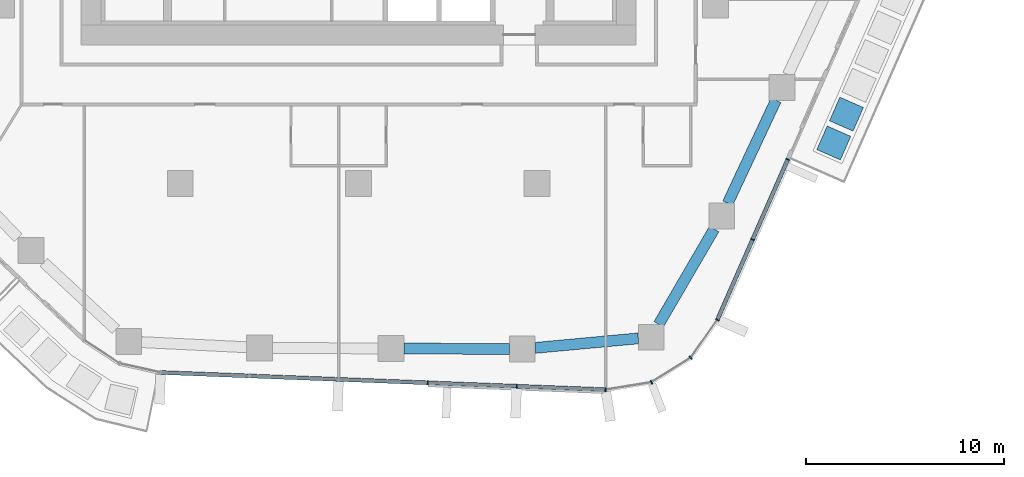
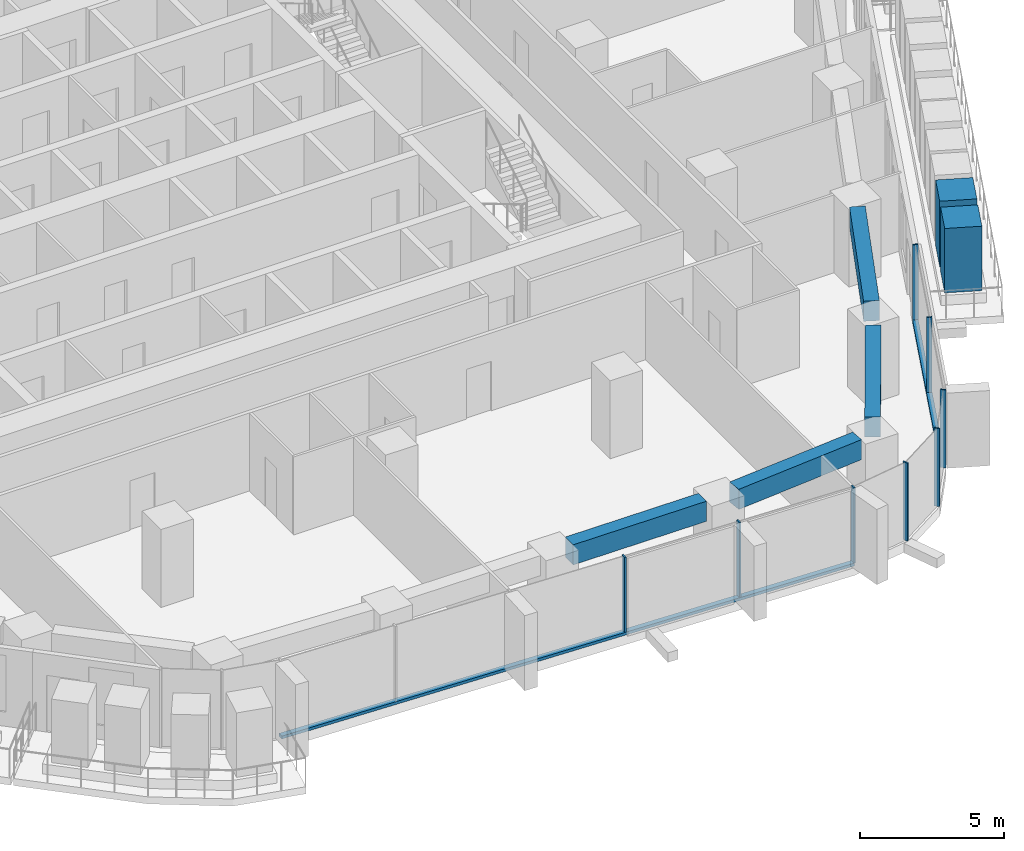
# One storey, part 4 of 23: 12 members, 4 beams, 3 elements without a shape of their own.
"""IFC4 building model written with IfcOpenShell, lengths in metres."""

from ifc_helpers import new_model, si_unit, direction, frame, origin, origin_2d, place, context, subcontext, project, spatial, rectangle, extrude, material, layer, layer_set, material_profile, profile_set, type_object, element, aggregate, save


model = new_model("IFC4")

# Units and contexts
model_context = context("Model", 3, precision=1e-05, world=origin(), true_north=direction((0.0, 1.0)))
body_context = subcontext(model_context, "Body", "Model", "MODEL_VIEW")
ifc_project = project(units=[si_unit("LENGTHUNIT", "METRE"), si_unit("AREAUNIT", "SQUARE_METRE"), si_unit("VOLUMEUNIT", "CUBIC_METRE"), si_unit("PLANEANGLEUNIT", "RADIAN"), si_unit("MASSUNIT", "GRAM", prefix="KILO")], contexts=[model_context])

# Site, building, storey
site_placement = place(None, origin())
site = spatial("IfcSite", under=ifc_project, at=site_placement, CompositionType="ELEMENT")
building_placement = place(site_placement, origin())
building = spatial("IfcBuilding", under=site, at=building_placement, Name="Dongbaek Canopy Tower", CompositionType="ELEMENT")
storey_placement = place(building_placement, frame((0.0, 0.0, 132.199951171875)))
storey = spatial("IfcBuildingStorey", under=building, at=storey_placement, Name="L29", CompositionType="ELEMENT", Elevation=132.199951171875)

# Curtain wall, members
ifc_material_1 = material(Name="Aluminium 6063-T6 pale anodised", Category="aluminium")
ifc_layer = layer(ifc_material_1, 0.199951171875)
ifc_layer_set = layer_set([ifc_layer], Name="CW-1 unitised tower curtain wall")
curtain_wall_type = type_object("IfcCurtainWallType", Name="CW-1 unitised tower curtain wall", PredefinedType="NOTDEFINED", material=ifc_layer_set)
curtain_wall_1_placement = place(storey_placement, origin())
curtain_wall_1 = element("IfcCurtainWall", 1, at=curtain_wall_1_placement, inside=storey, type_object=curtain_wall_type, Name="CW-1 curtain wall F4.1", PredefinedType="NOTDEFINED")
ifc_material_2 = material(Name="Aluminium 6063-T6 pale anodised", Category="aluminium")
ifc_material_profile_1 = material_profile(ifc_material_2, rectangle(XDim=0.199951171875, YDim=0.06005859375, at=origin_2d()), Name="CW-1 mullion 60 x 200")
ifc_profile_set_1 = profile_set([ifc_material_profile_1], Name="Aluminium 6063-T6 pale anodised")
member_type_1 = type_object("IfcMemberType", Name="CW-1 mullion 60 x 200", PredefinedType="MULLION", material=ifc_profile_set_1)
member_1_placement = place(storey_placement, frame((3.4814453125, -28.05126953125, 0.1201171875), z_axis=(0.0, 0.0, 1.0), x_axis=(-0.038587229989, -0.999255235504, 0.0)))
member_1 = element("IfcMember", 2, at=member_1_placement, type_object=member_type_1, Name="CW-1 mullion F4.1.4", PredefinedType="MULLION", context=body_context, shape_type="SweptSolid", body=[
    extrude(rectangle(XDim=0.199951171875, YDim=0.06005859375, at=origin_2d()), origin(), (0.0, 0.0, 1.0), 3.179931640625),
])
member_2_placement = place(storey_placement, frame((7.973876953125, -28.224853515625, 0.1201171875), z_axis=(0.0, 0.0, 1.0), x_axis=(-0.038587229989, -0.999255235504, 0.0)))
member_2 = element("IfcMember", 3, at=member_2_placement, type_object=member_type_1, Name="CW-1 mullion F4.1.5", PredefinedType="MULLION", context=body_context, shape_type="SweptSolid", body=[
    extrude(rectangle(XDim=0.199951171875, YDim=0.06005859375, at=origin_2d()), origin(), (0.0, 0.0, 1.0), 3.179931640625),
])
member_3_placement = place(storey_placement, frame((12.456298828125, -28.39794921875, 0.1201171875), z_axis=(0.0, 0.0, 1.0), x_axis=(-0.038587229989, -0.999255235504, 0.0)))
member_3 = element("IfcMember", 4, at=member_3_placement, type_object=member_type_1, Name="CW-1 mullion F4.1.6", PredefinedType="MULLION", context=body_context, shape_type="SweptSolid", body=[
    extrude(rectangle(XDim=0.199951171875, YDim=0.06005859375, at=origin_2d()), origin(), (0.0, 0.0, 1.0), 3.179931640625),
])

curtain_wall_2_placement = place(storey_placement, origin())
curtain_wall_2 = element("IfcCurtainWall", 5, at=curtain_wall_2_placement, inside=storey, type_object=curtain_wall_type, Name="CW-1 curtain wall K5.1", PredefinedType="NOTDEFINED")
member_4_placement = place(storey_placement, frame((14.771240234375, -28.022705078125, 0.0), z_axis=(0.0, 0.0, 1.0), x_axis=(0.35218386839, -0.935930832298, 0.0)))
member_4 = element("IfcMember", 6, at=member_4_placement, type_object=member_type_1, Name="CW-1 mullion K5.1.2", PredefinedType="MULLION", context=body_context, shape_type="SweptSolid", body=[
    extrude(rectangle(XDim=0.199951171875, YDim=0.06005859375, at=origin_2d()), origin(), (0.0, 0.0, 1.0), 3.300048828125),
])
member_5_placement = place(storey_placement, frame((16.75048828125, -26.7841796875, 0.0), z_axis=(0.0, 0.0, 1.0), x_axis=(0.687763517338, -0.725934807141, 0.0)))
member_5 = element("IfcMember", 7, at=member_5_placement, type_object=member_type_1, Name="CW-1 mullion K5.1.3", PredefinedType="MULLION", context=body_context, shape_type="SweptSolid", body=[
    extrude(rectangle(XDim=0.199951171875, YDim=0.06005859375, at=origin_2d()), origin(), (0.0, 0.0, 1.0), 3.300048828125),
])
member_6_placement = place(storey_placement, frame((18.099853515625, -24.866455078125, 0.0), z_axis=(0.0, 0.0, 1.0), x_axis=(0.817843743587, -0.575440362744, 0.0)))
member_6 = element("IfcMember", 8, at=member_6_placement, type_object=member_type_1, Name="CW-1 mullion K5.1.4", PredefinedType="MULLION", context=body_context, shape_type="SweptSolid", body=[
    extrude(rectangle(XDim=0.199951171875, YDim=0.06005859375, at=origin_2d()), origin(), (0.0, 0.0, 1.0), 3.300048828125),
])
aggregate(curtain_wall_2, [member_4, member_5, member_6])

curtain_wall_3_placement = place(storey_placement, origin())
curtain_wall_3 = element("IfcCurtainWall", 9, at=curtain_wall_3_placement, inside=storey, type_object=curtain_wall_type, Name="CW-1 curtain wall F5.1", PredefinedType="NOTDEFINED")
member_7_placement = place(storey_placement, frame((19.873046875, -20.829345703125, 0.1201171875), z_axis=(0.0, 0.0, 1.0), x_axis=(0.915562348389, -0.402176063698, 0.0)))
member_7 = element("IfcMember", 10, at=member_7_placement, type_object=member_type_1, Name="CW-1 mullion F5.1.2", PredefinedType="MULLION", context=body_context, shape_type="SweptSolid", body=[
    extrude(rectangle(XDim=0.199951171875, YDim=0.06005859375, at=origin_2d()), origin(), (0.0, 0.0, 1.0), 3.179931640625),
])
member_8_placement = place(storey_placement, frame((21.650390625, -16.783447265625, 0.1201171875), z_axis=(0.0, 0.0, 1.0), x_axis=(0.915562348389, -0.402176063698, 0.0)))
member_8 = element("IfcMember", 11, at=member_8_placement, type_object=member_type_1, Name="CW-1 mullion F5.1.3", PredefinedType="MULLION", context=body_context, shape_type="SweptSolid", body=[
    extrude(rectangle(XDim=0.199951171875, YDim=0.06005859375, at=origin_2d()), origin(), (0.0, 0.0, 1.0), 3.179931640625),
])

# Member
ifc_material_3 = material(Name="Aluminium 6063-T6 pale anodised", Category="aluminium")
ifc_material_profile_2 = material_profile(ifc_material_3, rectangle(XDim=0.199951171875, YDim=0.1201171875, at=origin_2d()), Name="CW-1 transom 120 x 200")
ifc_profile_set_2 = profile_set([ifc_material_profile_2], Name="Aluminium 6063-T6 pale anodised")
member_type_2 = type_object("IfcMemberType", Name="CW-1 transom 120 x 200", PredefinedType="USERDEFINED", material=ifc_profile_set_2)
member_9_placement = place(storey_placement, frame((-9.98681640625, -27.53125, 0.06005859375), z_axis=(0.99925517351, -0.038588835336, 0.0), x_axis=(0.038588835336, 0.99925517351, 0.0)))
member_9 = element("IfcMember", 12, at=member_9_placement, type_object=member_type_2, Name="CW-1 transom F4.1.1", ObjectType="TRANSOM", PredefinedType="USERDEFINED", context=body_context, shape_type="SweptSolid", body=[
    extrude(rectangle(XDim=0.199951171875, YDim=0.1201171875, at=origin_2d()), origin(), (0.0, 0.0, 1.0), 22.4599609375),
])

aggregate(curtain_wall_1, [member_1, member_2, member_3, member_9])

member_10_placement = place(storey_placement, frame((18.099853515625, -24.866455078125, 0.06005859375), z_axis=(0.402170445834, 0.915564816109, 0.0), x_axis=(-0.915564816109, 0.402170445834, 0.0)))
member_10 = element("IfcMember", 13, at=member_10_placement, type_object=member_type_2, Name="CW-1 transom F5.1.1", ObjectType="TRANSOM", PredefinedType="USERDEFINED", context=body_context, shape_type="SweptSolid", body=[
    extrude(rectangle(XDim=0.199951171875, YDim=0.1201171875, at=origin_2d()), origin(), (0.0, 0.0, 1.0), 8.828369140625),
])

aggregate(curtain_wall_3, [member_7, member_8, member_10])

# Beams
ifc_material_4 = material(Name="Concrete C80", Category="concrete")
ifc_material_profile_3 = material_profile(ifc_material_4, rectangle(XDim=0.550048828125, YDim=0.85009765625, at=origin_2d()), Name="RC EDGE BEAM 550x850 C80")
ifc_profile_set_3 = profile_set([ifc_material_profile_3], Name="Concrete C80")
beam_type = type_object("IfcBeamType", Name="RC EDGE BEAM 550x850 C80", PredefinedType="BEAM", material=ifc_profile_set_3)
beam_1_placement = place(storey_placement, frame((14.110107421875, -25.80908203125, 2.875), z_axis=(-0.995770494827, -0.091875576911, 0.0), x_axis=(0.091875576911, -0.995770494827, 0.0)))
element("IfcBeam", 14, at=beam_1_placement, inside=storey, type_object=beam_type, Name="EDGEBEAM:L29:00", PredefinedType="BEAM", context=body_context, shape_type="SweptSolid", body=[
    extrude(rectangle(XDim=0.550048828125, YDim=0.85009765625, at=origin_2d()), origin(), (0.0, 0.0, 1.0), 5.224365234375),
])
beam_2_placement = place(storey_placement, frame((7.60791015625, -26.34619140625, 2.875), z_axis=(-0.999989714022, 0.004535620181, 0.0), x_axis=(-0.004535620181, -0.999989714022, 0.0)))
element("IfcBeam", 15, at=beam_2_placement, inside=storey, type_object=beam_type, Name="EDGEBEAM:L29:01", PredefinedType="BEAM", context=body_context, shape_type="SweptSolid", body=[
    extrude(rectangle(XDim=0.550048828125, YDim=0.85009765625, at=origin_2d()), origin(), (0.0, 0.0, 1.0), 5.328857421875),
])
beam_3_placement = place(storey_placement, frame((21.051513671875, -13.800048828125, 2.875), z_axis=(-0.424209119096, -0.905564256845, 0.0), x_axis=(0.905564256845, -0.424209119096, 0.0)))
element("IfcBeam", 16, at=beam_3_placement, inside=storey, type_object=beam_type, Name="EDGEBEAM:L29:24", PredefinedType="BEAM", context=body_context, shape_type="SweptSolid", body=[
    extrude(rectangle(XDim=0.550048828125, YDim=0.85009765625, at=origin_2d()), origin(), (0.0, 0.0, 1.0), 5.7333984375),
])
beam_4_placement = place(storey_placement, frame((17.9365234375, -20.2919921875, 2.875), z_axis=(-0.503057531083, -0.864252926186, 0.0), x_axis=(0.864252926186, -0.503057531083, 0.0)))
element("IfcBeam", 17, at=beam_4_placement, inside=storey, type_object=beam_type, Name="EDGEBEAM:L29:25", PredefinedType="BEAM", context=body_context, shape_type="SweptSolid", body=[
    extrude(rectangle(XDim=0.550048828125, YDim=0.85009765625, at=origin_2d()), origin(), (0.0, 0.0, 1.0), 5.562255859375),
])

# Members
ifc_material_5 = material(Name="Concrete C40/50 planter mass with planting", Category="concrete")
ifc_material_profile_4 = material_profile(ifc_material_5, rectangle(XDim=1.300048828125, YDim=1.300048828125, at=origin_2d()), Name="Terrace PLANTER shrub mass 1300 x 1300")
ifc_profile_set_4 = profile_set([ifc_material_profile_4], Name="Concrete C40/50 planter mass with planting")
member_type_3 = type_object("IfcMemberType", Name="Terrace PLANTER shrub mass 1300 x 1300", PredefinedType="USERDEFINED", material=ifc_profile_set_4)
member_11_placement = place(storey_placement, frame((23.970458984375, -15.952392578125, 0.420166015625), z_axis=(0.0, 0.0, 1.0), x_axis=(0.915562348389, -0.402176063698, 0.0)))
element("IfcMember", 18, at=member_11_placement, inside=storey, type_object=member_type_3, Name="Planter shrubs L29 4.1", ObjectType="PLANTER", PredefinedType="USERDEFINED", context=body_context, shape_type="SweptSolid", body=[
    extrude(rectangle(XDim=1.300048828125, YDim=1.300048828125, at=origin_2d()), origin(), (0.0, 0.0, 1.0), 2.72998046875),
])
member_12_placement = place(storey_placement, frame((24.609130859375, -14.498779296875, 0.420166015625), z_axis=(0.0, 0.0, 1.0), x_axis=(0.915562348389, -0.402176063698, 0.0)))
element("IfcMember", 19, at=member_12_placement, inside=storey, type_object=member_type_3, Name="Planter shrubs L29 4.2", ObjectType="PLANTER", PredefinedType="USERDEFINED", context=body_context, shape_type="SweptSolid", body=[
    extrude(rectangle(XDim=1.300048828125, YDim=1.300048828125, at=origin_2d()), origin(), (0.0, 0.0, 1.0), 2.77978515625),
])

save(model, "model.ifc")
